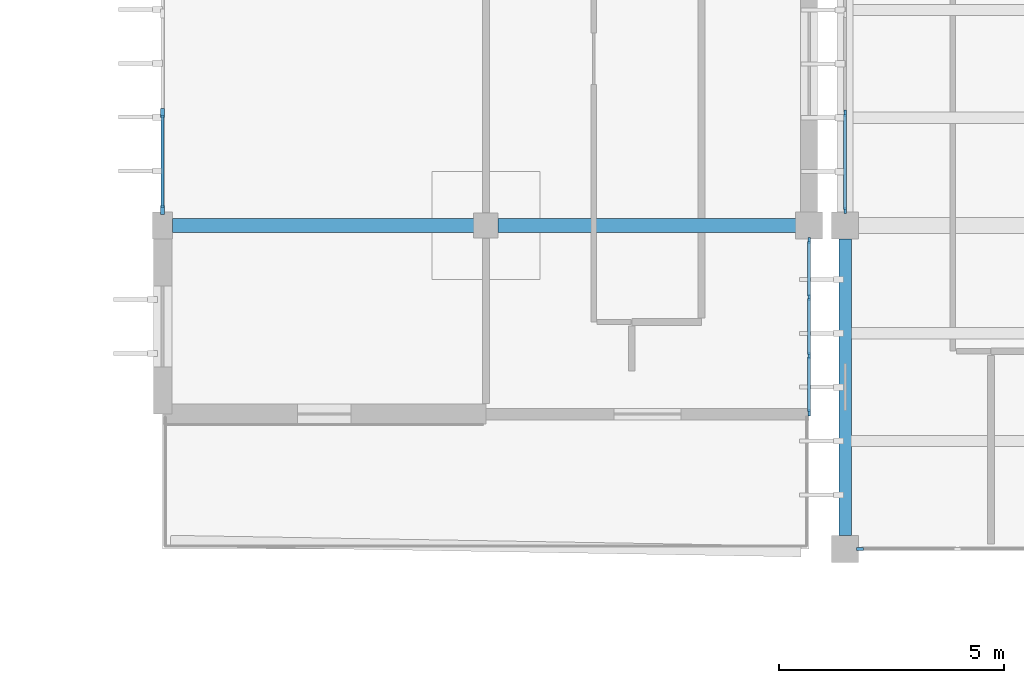
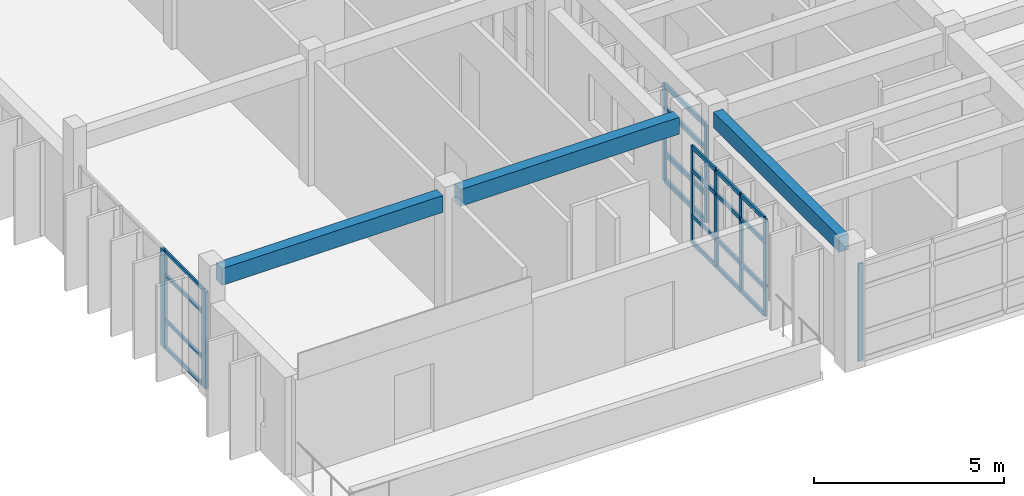
# One storey, part 8 of 55: 29 members, 3 beams, 4 elements without a shape of their own.
"""IFC4 building model written with IfcOpenShell, lengths in metres."""

from ifc_helpers import new_model, si_unit, direction, frame, origin, origin_2d, place, context, subcontext, project, spatial, rectangle, extrude, material, material_profile, profile_set, type_object, element, aggregate, save


model = new_model("IFC4")

# Units and contexts
model_context = context("Model", 3, precision=1e-05, world=origin(), true_north=direction((0.0, 1.0)))
body_context = subcontext(model_context, "Body", "Model", "MODEL_VIEW")
ifc_project = project(units=[si_unit("LENGTHUNIT", "METRE"), si_unit("AREAUNIT", "SQUARE_METRE"), si_unit("VOLUMEUNIT", "CUBIC_METRE"), si_unit("PLANEANGLEUNIT", "RADIAN"), si_unit("MASSUNIT", "GRAM", prefix="KILO")], contexts=[model_context])

# Site, building, storey
site_placement = place(None, origin())
site = spatial("IfcSite", under=ifc_project, at=site_placement, CompositionType="ELEMENT")
building_placement = place(site_placement, origin())
building = spatial("IfcBuilding", under=site, at=building_placement, Name="Steenspoor Specialist Clinic", CompositionType="ELEMENT")
storey_placement = place(building_placement, frame((0.0, 0.0, 13.199951171875)))
storey = spatial("IfcBuildingStorey", under=building, at=storey_placement, Name="L03", CompositionType="ELEMENT", Elevation=13.199951171875)

# Curtain wall, members
ifc_material_1 = material(Name="Thermally broken aluminium and low-emissivity glass", Category="aluminium")
curtain_wall_type_1 = type_object("IfcCurtainWallType", Name="CW-TYP-240X355", PredefinedType="USERDEFINED", material=ifc_material_1)
curtain_wall_1_placement = place(storey_placement, origin())
curtain_wall_1 = element("IfcCurtainWall", 1, at=curtain_wall_1_placement, inside=storey, type_object=curtain_wall_type_1, Name="Unitised Curtain Wall CW-V4-L03-112", ObjectType="UNITISED GLAZING", PredefinedType="USERDEFINED")
ifc_material_2 = material(Name="Thermally broken aluminium 6063-T6", Category="aluminium")
ifc_material_profile_1 = material_profile(ifc_material_2, rectangle(XDim=0.06005859375, YDim=0.135009765625, at=origin_2d()), Name="CWM-60X135")
ifc_profile_set_1 = profile_set([ifc_material_profile_1], Name="Thermally broken aluminium 6063-T6")
member_type_1 = type_object("IfcMemberType", Name="CW-MULL-60X135", PredefinedType="MULLION", material=ifc_profile_set_1)
member_1_placement = place(storey_placement, frame((117.199951171875, 72.02001953125, 0.0), z_axis=(0.0, 0.0, 1.0), x_axis=(1.0, 0.0, 0.0)))
member_1 = element("IfcMember", 2, at=member_1_placement, type_object=member_type_1, Name="CW-16 mullion 1", PredefinedType="MULLION", context=body_context, shape_type="SweptSolid", body=[
    extrude(rectangle(XDim=0.06005859375, YDim=0.135009765625, at=origin_2d()), origin(), (0.0, 0.0, 1.0), 3.130126953125),
])
member_2_placement = place(storey_placement, frame((117.199951171875, 70.75, 0.0), z_axis=(0.0, 0.0, 1.0), x_axis=(1.0, 0.0, 0.0)))
member_2 = element("IfcMember", 3, at=member_2_placement, type_object=member_type_1, Name="CW-16 mullion 2", PredefinedType="MULLION", context=body_context, shape_type="SweptSolid", body=[
    extrude(rectangle(XDim=0.06005859375, YDim=0.135009765625, at=origin_2d()), origin(), (0.0, 0.0, 1.0), 3.130126953125),
])
member_3_placement = place(storey_placement, frame((117.199951171875, 69.449951171875, 0.0), z_axis=(0.0, 0.0, 1.0), x_axis=(1.0, 0.0, 0.0)))
member_3 = element("IfcMember", 4, at=member_3_placement, type_object=member_type_1, Name="CW-16 mullion 3", PredefinedType="MULLION", context=body_context, shape_type="SweptSolid", body=[
    extrude(rectangle(XDim=0.06005859375, YDim=0.135009765625, at=origin_2d()), origin(), (0.0, 0.0, 1.0), 3.130126953125),
])
member_4_placement = place(storey_placement, frame((117.199951171875, 68.179931640625, 0.0), z_axis=(0.0, 0.0, 1.0), x_axis=(1.0, 0.0, 0.0)))
member_4 = element("IfcMember", 5, at=member_4_placement, type_object=member_type_1, Name="CW-16 mullion 4", PredefinedType="MULLION", context=body_context, shape_type="SweptSolid", body=[
    extrude(rectangle(XDim=0.06005859375, YDim=0.135009765625, at=origin_2d()), origin(), (0.0, 0.0, 1.0), 3.130126953125),
])

curtain_wall_type_2 = type_object("IfcCurtainWallType", Name="CW-L00-660X415", PredefinedType="USERDEFINED", material=ifc_material_1)
curtain_wall_2_placement = place(storey_placement, origin())
curtain_wall_2 = element("IfcCurtainWall", 6, at=curtain_wall_2_placement, inside=storey, type_object=curtain_wall_type_2, Name="Unitised Curtain Wall CW-V6-L03-196", ObjectType="UNITISED GLAZING", PredefinedType="USERDEFINED")
member_5_placement = place(storey_placement, frame((118.0, 72.679931640625, 0.0), z_axis=(0.0, 0.0, 1.0), x_axis=(-1.0, 0.0, 0.0)))
member_5 = element("IfcMember", 7, at=member_5_placement, type_object=member_type_1, Name="CW-04 mullion 1", PredefinedType="MULLION", context=body_context, shape_type="SweptSolid", body=[
    extrude(rectangle(XDim=0.06005859375, YDim=0.135009765625, at=origin_2d()), origin(), (0.0, 0.0, 1.0), 3.130126953125),
])
member_6_placement = place(storey_placement, frame((118.0, 74.85009765625, 0.0), z_axis=(0.0, 0.0, 1.0), x_axis=(-1.0, 0.0, 0.0)))
member_6 = element("IfcMember", 8, at=member_6_placement, type_object=member_type_1, Name="CW-04 mullion 2", PredefinedType="MULLION", context=body_context, shape_type="SweptSolid", body=[
    extrude(rectangle(XDim=0.06005859375, YDim=0.135009765625, at=origin_2d()), origin(), (0.0, 0.0, 1.0), 3.130126953125),
])

# Curtain wall, member
curtain_wall_type_3 = type_object("IfcCurtainWallType", Name="CW-HALL-480X820", PredefinedType="USERDEFINED", material=ifc_material_1)
curtain_wall_3_placement = place(storey_placement, origin())
curtain_wall_3 = element("IfcCurtainWall", 9, at=curtain_wall_3_placement, inside=storey, type_object=curtain_wall_type_3, Name="Unitised Curtain Wall CW-V6-L03-195", ObjectType="UNITISED GLAZING", PredefinedType="USERDEFINED")
ifc_material_profile_2 = material_profile(ifc_material_2, rectangle(XDim=0.06494140625, YDim=0.14990234375, at=origin_2d()), Name="CWM-65X150")
ifc_profile_set_2 = profile_set([ifc_material_profile_2], Name="Thermally broken aluminium 6063-T6")
member_type_2 = type_object("IfcMemberType", Name="CW-MULL-65X150", PredefinedType="MULLION", material=ifc_profile_set_2)
member_7_placement = place(storey_placement, frame((118.33251953125, 65.14990234375, 0.0), z_axis=(0.0, 0.0, 1.0), x_axis=(0.0, -1.0, 0.0)))
member_7 = element("IfcMember", 10, at=member_7_placement, type_object=member_type_2, Name="CW-03 mullion 4", PredefinedType="MULLION", context=body_context, shape_type="SweptSolid", body=[
    extrude(rectangle(XDim=0.06494140625, YDim=0.14990234375, at=origin_2d()), origin(), (0.0, 0.0, 1.0), 3.130126953125),
])
aggregate(curtain_wall_3, [member_7])

# Curtain wall, members
curtain_wall_type_4 = type_object("IfcCurtainWallType", Name="CW-SCR-660X320", PredefinedType="USERDEFINED", material=ifc_material_1)
curtain_wall_4_placement = place(storey_placement, origin())
curtain_wall_4 = element("IfcCurtainWall", 11, at=curtain_wall_4_placement, inside=storey, type_object=curtain_wall_type_4, Name="Unitised Curtain Wall CW-V4-L03-113", ObjectType="UNITISED GLAZING", PredefinedType="USERDEFINED")
ifc_material_profile_3 = material_profile(ifc_material_2, rectangle(XDim=0.090087890625, YDim=0.199951171875, at=origin_2d()), Name="CWM-90X200")
ifc_profile_set_3 = profile_set([ifc_material_profile_3], Name="Thermally broken aluminium 6063-T6")
member_type_3 = type_object("IfcMemberType", Name="CW-MULL-90X200", PredefinedType="MULLION", material=ifc_profile_set_3)
member_8_placement = place(storey_placement, frame((102.800048828125, 72.695068359375, 0.0), z_axis=(0.0, 0.0, 1.0), x_axis=(-1.0, 0.0, 0.0)))
member_8 = element("IfcMember", 12, at=member_8_placement, type_object=member_type_3, Name="CW-17 mullion 1", PredefinedType="MULLION", context=body_context, shape_type="SweptSolid", body=[
    extrude(rectangle(XDim=0.090087890625, YDim=0.199951171875, at=origin_2d()), origin(), (0.0, 0.0, 1.0), 3.130126953125),
])
member_9_placement = place(storey_placement, frame((102.800048828125, 74.8583984375, 0.0), z_axis=(0.0, 0.0, 1.0), x_axis=(-1.0, 0.0, 0.0)))
member_9 = element("IfcMember", 13, at=member_9_placement, type_object=member_type_3, Name="CW-17 mullion 2", PredefinedType="MULLION", context=body_context, shape_type="SweptSolid", body=[
    extrude(rectangle(XDim=0.090087890625, YDim=0.199951171875, at=origin_2d()), origin(), (0.0, 0.0, 1.0), 3.130126953125),
])
ifc_material_profile_4 = material_profile(ifc_material_2, rectangle(XDim=0.06005859375, YDim=0.114990234375, at=origin_2d()), Name="CWT-60X115")
ifc_profile_set_4 = profile_set([ifc_material_profile_4], Name="Thermally broken aluminium 6063-T6")
member_type_4 = type_object("IfcMemberType", Name="CW-TRAN-60X115", PredefinedType="USERDEFINED", material=ifc_profile_set_4)
member_10_placement = place(storey_placement, frame((102.800048828125, 72.739990234375, 0.030029296875), z_axis=(0.0, 1.0, 0.0), x_axis=(-1.0, 0.0, 0.0)))
member_10 = element("IfcMember", 14, at=member_10_placement, type_object=member_type_4, Name="CW-17 transom 1.1", ObjectType="TRANSOM", PredefinedType="USERDEFINED", context=body_context, shape_type="SweptSolid", body=[
    extrude(rectangle(XDim=0.06005859375, YDim=0.114990234375, at=origin_2d()), origin(), (0.0, 0.0, 1.0), 2.0732421875),
])
member_11_placement = place(storey_placement, frame((102.800048828125, 72.739990234375, 0.900146484375), z_axis=(0.0, 1.0, 0.0), x_axis=(-1.0, 0.0, 0.0)))
member_11 = element("IfcMember", 15, at=member_11_placement, type_object=member_type_4, Name="CW-17 transom 1.2", ObjectType="TRANSOM", PredefinedType="USERDEFINED", context=body_context, shape_type="SweptSolid", body=[
    extrude(rectangle(XDim=0.06005859375, YDim=0.114990234375, at=origin_2d()), origin(), (0.0, 0.0, 1.0), 2.0732421875),
])
member_12_placement = place(storey_placement, frame((102.800048828125, 72.739990234375, 2.35009765625), z_axis=(0.0, 1.0, 0.0), x_axis=(-1.0, 0.0, 0.0)))
member_12 = element("IfcMember", 16, at=member_12_placement, type_object=member_type_4, Name="CW-17 transom 1.3", ObjectType="TRANSOM", PredefinedType="USERDEFINED", context=body_context, shape_type="SweptSolid", body=[
    extrude(rectangle(XDim=0.06005859375, YDim=0.114990234375, at=origin_2d()), origin(), (0.0, 0.0, 1.0), 2.0732421875),
])
member_13_placement = place(storey_placement, frame((102.800048828125, 72.739990234375, 3.10009765625), z_axis=(0.0, 1.0, 0.0), x_axis=(-1.0, 0.0, 0.0)))
member_13 = element("IfcMember", 17, at=member_13_placement, type_object=member_type_4, Name="CW-17 transom 1.4", ObjectType="TRANSOM", PredefinedType="USERDEFINED", context=body_context, shape_type="SweptSolid", body=[
    extrude(rectangle(XDim=0.06005859375, YDim=0.114990234375, at=origin_2d()), origin(), (0.0, 0.0, 1.0), 2.0732421875),
])
aggregate(curtain_wall_4, [member_8, member_9, member_10, member_11, member_12, member_13])

# Member
ifc_material_profile_5 = material_profile(ifc_material_2, rectangle(XDim=0.06494140625, YDim=0.1298828125, at=origin_2d()), Name="CWT-65X130")
ifc_profile_set_5 = profile_set([ifc_material_profile_5], Name="Thermally broken aluminium 6063-T6")
member_type_5 = type_object("IfcMemberType", Name="CW-TRAN-65X130", PredefinedType="USERDEFINED", material=ifc_profile_set_5)
member_14_placement = place(storey_placement, frame((117.199951171875, 71.989990234375, 0.032470703125), z_axis=(0.0, -1.0, 0.0), x_axis=(1.0, 0.0, 0.0)))
member_14 = element("IfcMember", 18, at=member_14_placement, type_object=member_type_5, Name="CW-16 transom 1.1", ObjectType="TRANSOM", PredefinedType="USERDEFINED", context=body_context, shape_type="SweptSolid", body=[
    extrude(rectangle(XDim=0.06494140625, YDim=0.1298828125, at=origin_2d()), origin(), (0.0, 0.0, 1.0), 1.2099609375),
])

member_15_placement = place(storey_placement, frame((117.199951171875, 71.989990234375, 0.900146484375), z_axis=(0.0, -1.0, 0.0), x_axis=(1.0, 0.0, 0.0)))
member_15 = element("IfcMember", 19, at=member_15_placement, type_object=member_type_5, Name="CW-16 transom 1.2", ObjectType="TRANSOM", PredefinedType="USERDEFINED", context=body_context, shape_type="SweptSolid", body=[
    extrude(rectangle(XDim=0.06494140625, YDim=0.1298828125, at=origin_2d()), origin(), (0.0, 0.0, 1.0), 1.2099609375),
])

member_16_placement = place(storey_placement, frame((117.199951171875, 71.989990234375, 2.35009765625), z_axis=(0.0, -1.0, 0.0), x_axis=(1.0, 0.0, 0.0)))
member_16 = element("IfcMember", 20, at=member_16_placement, type_object=member_type_5, Name="CW-16 transom 1.3", ObjectType="TRANSOM", PredefinedType="USERDEFINED", context=body_context, shape_type="SweptSolid", body=[
    extrude(rectangle(XDim=0.06494140625, YDim=0.1298828125, at=origin_2d()), origin(), (0.0, 0.0, 1.0), 1.2099609375),
])

member_17_placement = place(storey_placement, frame((117.199951171875, 71.989990234375, 3.09765625), z_axis=(0.0, -1.0, 0.0), x_axis=(1.0, 0.0, 0.0)))
member_17 = element("IfcMember", 21, at=member_17_placement, type_object=member_type_5, Name="CW-16 transom 1.4", ObjectType="TRANSOM", PredefinedType="USERDEFINED", context=body_context, shape_type="SweptSolid", body=[
    extrude(rectangle(XDim=0.06494140625, YDim=0.1298828125, at=origin_2d()), origin(), (0.0, 0.0, 1.0), 1.2099609375),
])

member_18_placement = place(storey_placement, frame((117.199951171875, 70.719970703125, 0.032470703125), z_axis=(0.0, -1.0, 0.0), x_axis=(1.0, 0.0, 0.0)))
member_18 = element("IfcMember", 22, at=member_18_placement, type_object=member_type_5, Name="CW-16 transom 2.1", ObjectType="TRANSOM", PredefinedType="USERDEFINED", context=body_context, shape_type="SweptSolid", body=[
    extrude(rectangle(XDim=0.06494140625, YDim=0.1298828125, at=origin_2d()), origin(), (0.0, 0.0, 1.0), 1.239990234375),
])

member_19_placement = place(storey_placement, frame((117.199951171875, 70.719970703125, 0.900146484375), z_axis=(0.0, -1.0, 0.0), x_axis=(1.0, 0.0, 0.0)))
member_19 = element("IfcMember", 23, at=member_19_placement, type_object=member_type_5, Name="CW-16 transom 2.2", ObjectType="TRANSOM", PredefinedType="USERDEFINED", context=body_context, shape_type="SweptSolid", body=[
    extrude(rectangle(XDim=0.06494140625, YDim=0.1298828125, at=origin_2d()), origin(), (0.0, 0.0, 1.0), 1.239990234375),
])

member_20_placement = place(storey_placement, frame((117.199951171875, 70.719970703125, 2.35009765625), z_axis=(0.0, -1.0, 0.0), x_axis=(1.0, 0.0, 0.0)))
member_20 = element("IfcMember", 24, at=member_20_placement, type_object=member_type_5, Name="CW-16 transom 2.3", ObjectType="TRANSOM", PredefinedType="USERDEFINED", context=body_context, shape_type="SweptSolid", body=[
    extrude(rectangle(XDim=0.06494140625, YDim=0.1298828125, at=origin_2d()), origin(), (0.0, 0.0, 1.0), 1.239990234375),
])

member_21_placement = place(storey_placement, frame((117.199951171875, 70.719970703125, 3.09765625), z_axis=(0.0, -1.0, 0.0), x_axis=(1.0, 0.0, 0.0)))
member_21 = element("IfcMember", 25, at=member_21_placement, type_object=member_type_5, Name="CW-16 transom 2.4", ObjectType="TRANSOM", PredefinedType="USERDEFINED", context=body_context, shape_type="SweptSolid", body=[
    extrude(rectangle(XDim=0.06494140625, YDim=0.1298828125, at=origin_2d()), origin(), (0.0, 0.0, 1.0), 1.239990234375),
])

member_22_placement = place(storey_placement, frame((117.199951171875, 69.419921875, 0.032470703125), z_axis=(0.0, -1.0, 0.0), x_axis=(1.0, 0.0, 0.0)))
member_22 = element("IfcMember", 26, at=member_22_placement, type_object=member_type_5, Name="CW-16 transom 3.1", ObjectType="TRANSOM", PredefinedType="USERDEFINED", context=body_context, shape_type="SweptSolid", body=[
    extrude(rectangle(XDim=0.06494140625, YDim=0.1298828125, at=origin_2d()), origin(), (0.0, 0.0, 1.0), 1.2099609375),
])

member_23_placement = place(storey_placement, frame((117.199951171875, 69.419921875, 0.900146484375), z_axis=(0.0, -1.0, 0.0), x_axis=(1.0, 0.0, 0.0)))
member_23 = element("IfcMember", 27, at=member_23_placement, type_object=member_type_5, Name="CW-16 transom 3.2", ObjectType="TRANSOM", PredefinedType="USERDEFINED", context=body_context, shape_type="SweptSolid", body=[
    extrude(rectangle(XDim=0.06494140625, YDim=0.1298828125, at=origin_2d()), origin(), (0.0, 0.0, 1.0), 1.2099609375),
])

member_24_placement = place(storey_placement, frame((117.199951171875, 69.419921875, 2.35009765625), z_axis=(0.0, -1.0, 0.0), x_axis=(1.0, 0.0, 0.0)))
member_24 = element("IfcMember", 28, at=member_24_placement, type_object=member_type_5, Name="CW-16 transom 3.3", ObjectType="TRANSOM", PredefinedType="USERDEFINED", context=body_context, shape_type="SweptSolid", body=[
    extrude(rectangle(XDim=0.06494140625, YDim=0.1298828125, at=origin_2d()), origin(), (0.0, 0.0, 1.0), 1.2099609375),
])

member_25_placement = place(storey_placement, frame((117.199951171875, 69.419921875, 3.09765625), z_axis=(0.0, -1.0, 0.0), x_axis=(1.0, 0.0, 0.0)))
member_25 = element("IfcMember", 29, at=member_25_placement, type_object=member_type_5, Name="CW-16 transom 3.4", ObjectType="TRANSOM", PredefinedType="USERDEFINED", context=body_context, shape_type="SweptSolid", body=[
    extrude(rectangle(XDim=0.06494140625, YDim=0.1298828125, at=origin_2d()), origin(), (0.0, 0.0, 1.0), 1.2099609375),
])

aggregate(curtain_wall_1, [member_1, member_2, member_3, member_4, member_14, member_15, member_16, member_17, member_18, member_19, member_20, member_21, member_22, member_23, member_24, member_25])

ifc_material_profile_6 = material_profile(ifc_material_2, rectangle(XDim=0.070068359375, YDim=0.14501953125, at=origin_2d()), Name="CWT-70X145")
ifc_profile_set_6 = profile_set([ifc_material_profile_6], Name="Thermally broken aluminium 6063-T6")
member_type_6 = type_object("IfcMemberType", Name="CW-TRAN-70X145", PredefinedType="USERDEFINED", material=ifc_profile_set_6)
member_26_placement = place(storey_placement, frame((118.0, 72.7099609375, 0.03515625), z_axis=(0.0, 1.0, 0.0), x_axis=(-1.0, 0.0, 0.0)))
member_26 = element("IfcMember", 30, at=member_26_placement, type_object=member_type_6, Name="CW-04 transom 1.1", ObjectType="TRANSOM", PredefinedType="USERDEFINED", context=body_context, shape_type="SweptSolid", body=[
    extrude(rectangle(XDim=0.070068359375, YDim=0.14501953125, at=origin_2d()), origin(), (0.0, 0.0, 1.0), 2.110107421875),
])

member_27_placement = place(storey_placement, frame((118.0, 72.7099609375, 0.900146484375), z_axis=(0.0, 1.0, 0.0), x_axis=(-1.0, 0.0, 0.0)))
member_27 = element("IfcMember", 31, at=member_27_placement, type_object=member_type_6, Name="CW-04 transom 1.2", ObjectType="TRANSOM", PredefinedType="USERDEFINED", context=body_context, shape_type="SweptSolid", body=[
    extrude(rectangle(XDim=0.070068359375, YDim=0.14501953125, at=origin_2d()), origin(), (0.0, 0.0, 1.0), 2.110107421875),
])

member_28_placement = place(storey_placement, frame((118.0, 72.7099609375, 2.35009765625), z_axis=(0.0, 1.0, 0.0), x_axis=(-1.0, 0.0, 0.0)))
member_28 = element("IfcMember", 32, at=member_28_placement, type_object=member_type_6, Name="CW-04 transom 1.3", ObjectType="TRANSOM", PredefinedType="USERDEFINED", context=body_context, shape_type="SweptSolid", body=[
    extrude(rectangle(XDim=0.070068359375, YDim=0.14501953125, at=origin_2d()), origin(), (0.0, 0.0, 1.0), 2.110107421875),
])

member_29_placement = place(storey_placement, frame((118.0, 72.7099609375, 3.094970703125), z_axis=(0.0, 1.0, 0.0), x_axis=(-1.0, 0.0, 0.0)))
member_29 = element("IfcMember", 33, at=member_29_placement, type_object=member_type_6, Name="CW-04 transom 1.4", ObjectType="TRANSOM", PredefinedType="USERDEFINED", context=body_context, shape_type="SweptSolid", body=[
    extrude(rectangle(XDim=0.070068359375, YDim=0.14501953125, at=origin_2d()), origin(), (0.0, 0.0, 1.0), 2.110107421875),
])

aggregate(curtain_wall_2, [member_5, member_6, member_26, member_27, member_28, member_29])

# Beams
ifc_material_3 = material(Name="Concrete C35/45", Category="concrete")
ifc_material_profile_7 = material_profile(ifc_material_3, rectangle(XDim=0.280029296875, YDim=0.5, at=origin_2d()), Name="RC-SP-280X500")
ifc_profile_set_7 = profile_set([ifc_material_profile_7], Name="Concrete C35/45")
beam_type_1 = type_object("IfcBeamType", Name="SP-RC-280X500", PredefinedType="SPANDREL", material=ifc_profile_set_7)
beam_1_placement = place(storey_placement, frame((118.0, 65.445068359375, 3.699951171875), z_axis=(0.0, 1.0, 0.0), x_axis=(-1.0, 0.0, 0.0)))
element("IfcBeam", 34, at=beam_1_placement, inside=storey, type_object=beam_type_1, Name="BM-V6-L03-Y1724", PredefinedType="SPANDREL", context=body_context, shape_type="SweptSolid", body=[
    extrude(rectangle(XDim=0.280029296875, YDim=0.5, at=origin_2d()), origin(), (0.0, 0.0, 1.0), 6.60986328125),
])
ifc_material_profile_8 = material_profile(ifc_material_3, rectangle(XDim=0.320068359375, YDim=0.5400390625, at=origin_2d()), Name="RC-SP-320X540")
ifc_profile_set_8 = profile_set([ifc_material_profile_8], Name="Concrete C35/45")
beam_type_2 = type_object("IfcBeamType", Name="SP-RC-320X540", PredefinedType="SPANDREL", material=ifc_profile_set_8)
beam_2_placement = place(storey_placement, frame((103.02001953125, 72.35009765625, 3.76513671875), z_axis=(1.0, 0.0, 0.0), x_axis=(0.0, 1.0, 0.0)))
element("IfcBeam", 35, at=beam_2_placement, inside=storey, type_object=beam_type_2, Name="BMTIER-V4-L03-X07-01", PredefinedType="SPANDREL", context=body_context, shape_type="SweptSolid", body=[
    extrude(rectangle(XDim=0.320068359375, YDim=0.5400390625, at=origin_2d()), origin(), (0.0, 0.0, 1.0), 6.7099609375),
])
beam_3_placement = place(storey_placement, frame((110.27001953125, 72.35009765625, 3.76513671875), z_axis=(1.0, 0.0, 0.0), x_axis=(0.0, 1.0, 0.0)))
element("IfcBeam", 36, at=beam_3_placement, inside=storey, type_object=beam_type_2, Name="BMTIER-V4-L03-X08-01", PredefinedType="SPANDREL", context=body_context, shape_type="SweptSolid", body=[
    extrude(rectangle(XDim=0.320068359375, YDim=0.5400390625, at=origin_2d()), origin(), (0.0, 0.0, 1.0), 6.635009765625),
])

save(model, "model.ifc")
